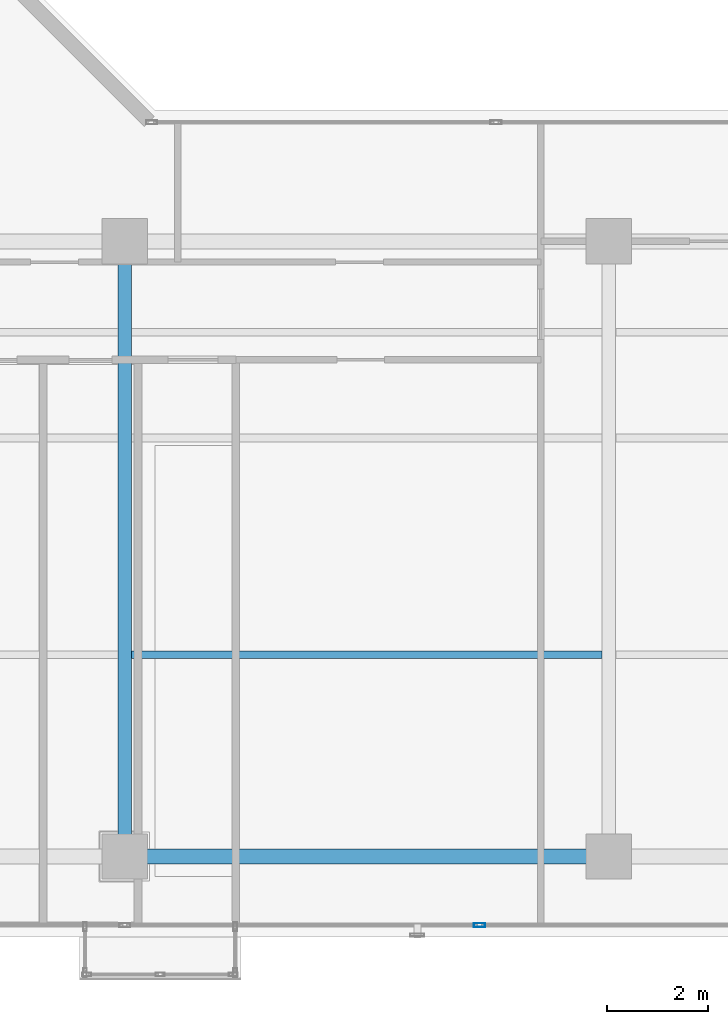
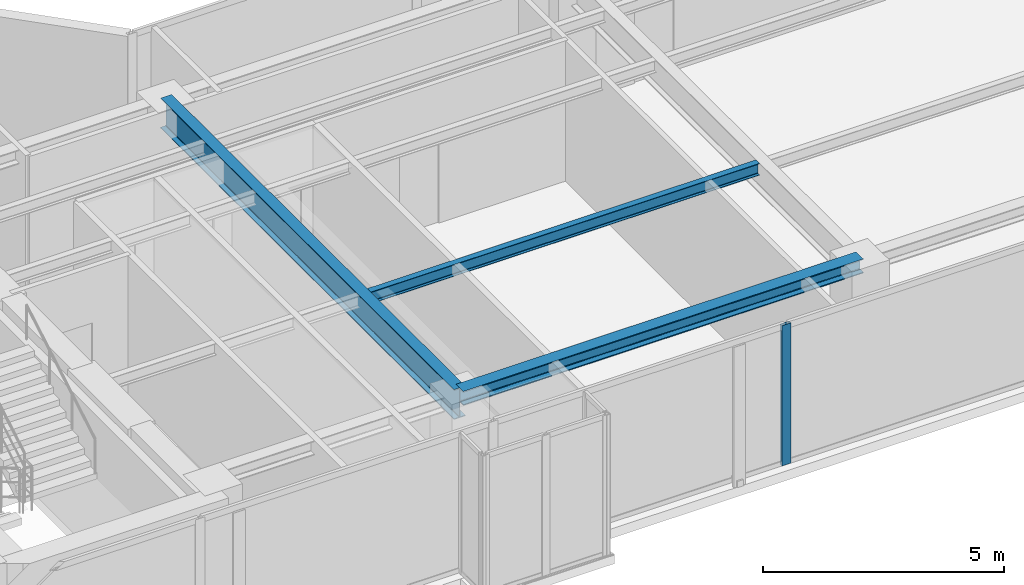
# One storey, part 5 of 22: 3 beams, 1 member, 1 element without a shape of its own.
"""IFC4 building model written with IfcOpenShell, lengths in metres."""

import ifcopenshell
import ifcopenshell.guid

model = None  # the IFC model being written
_history = None  # IfcOwnerHistory: only IFC2X3 demands one
_inside = {}  # id of a spatial element -> (the spatial element, [elements in it])
_under = {}  # id of a project, library or spatial element -> (it, [spatial elements below it])
_declared = {}  # id of a project -> (the project, [libraries it declares])
_typed = {}  # id of a type object -> (the type object, [elements of that type])
_made_of = {}  # id of a material, layer set ... -> (it, [elements and type objects made of it])


def new_model(schema):
    """Start an empty IFC model of exactly this schema.

    Asked for "IFC4X3", IfcOpenShell would pick the latest addendum, in which some entities
    have other attributes; the version numbers below select the first issue.
    IFC2X3 requires an IfcOwnerHistory on every rooted entity: one is made here for all.
    """
    global model, _history
    if schema == "IFC4X3":
        model = ifcopenshell.file(schema_version=(4, 3, 0, 0))
    else:
        model = ifcopenshell.file(schema=schema)
    _inside.clear()
    _under.clear()
    _declared.clear()
    _typed.clear()
    _made_of.clear()
    _history = None
    if model.schema == "IFC2X3":
        org = make("IfcOrganization", Name="unknown")
        user = make(
            "IfcPersonAndOrganization",
            ThePerson=make("IfcPerson", FamilyName="unknown"),
            TheOrganization=org,
        )
        app = make(
            "IfcApplication",
            ApplicationDeveloper=org,
            Version="unknown",
            ApplicationFullName="unknown",
            ApplicationIdentifier="unknown",
        )
        _history = make(
            "IfcOwnerHistory",
            OwningUser=user,
            OwningApplication=app,
            ChangeAction="ADDED",
            CreationDate=0,
        )
    return model


def make(cls, **values):
    """One entity of the class cls with the attributes given. An attribute that is None is left unset."""
    return model.create_entity(
        cls, **{name: value for name, value in values.items() if value is not None}
    )


def rooted(cls, **values):
    """An entity with a GlobalId (a new one), such as an element, a storey or a relation."""
    return make(cls, GlobalId=ifcopenshell.guid.new(), OwnerHistory=_history, **values)


def si_unit(unit_type, name, prefix=None):
    """IfcSIUnit, for example si_unit("LENGTHUNIT", "METRE", prefix="MILLI")."""
    return make("IfcSIUnit", UnitType=unit_type, Prefix=prefix, Name=name)


def assignment(units):
    """IfcUnitAssignment: the units of a project."""
    return None if units is None else make("IfcUnitAssignment", Units=units)


def point(xyz):
    """IfcCartesianPoint."""
    return None if xyz is None else make("IfcCartesianPoint", Coordinates=xyz)


def direction(xyz):
    """IfcDirection."""
    return None if xyz is None else make("IfcDirection", DirectionRatios=xyz)


def frame(location, z_axis=None, x_axis=None):
    """IfcAxis2Placement3D, a coordinate frame: its origin and axes. An axis left out is left unset."""
    return make(
        "IfcAxis2Placement3D",
        Location=point(location),
        Axis=direction(z_axis),
        RefDirection=direction(x_axis),
    )


def frame_2d(location, x_axis=None):
    """IfcAxis2Placement2D, a coordinate frame in the plane: its origin and x axis."""
    return make(
        "IfcAxis2Placement2D", Location=point(location), RefDirection=direction(x_axis)
    )


def origin():
    """The frame at (0, 0, 0) with its axes left unset."""
    return frame((0.0, 0.0, 0.0))


def origin_with_axes():
    """The frame at (0, 0, 0) with the z axis (0, 0, 1) and the x axis (1, 0, 0) written out."""
    return frame((0.0, 0.0, 0.0), z_axis=(0.0, 0.0, 1.0), x_axis=(1.0, 0.0, 0.0))


def origin_2d():
    """The frame at (0, 0) in the plane with its x axis left unset."""
    return frame_2d((0.0, 0.0))


def place(relative_to, where):
    """IfcLocalPlacement: puts the frame where relative to a parent placement (None: the world)."""
    return make(
        "IfcLocalPlacement", PlacementRelTo=relative_to, RelativePlacement=where
    )


def context(
    kind, dimensions, precision=None, world=None, true_north=None, identifier=None
):
    """IfcGeometricRepresentationContext, for example the 3D "Model" context."""
    return make(
        "IfcGeometricRepresentationContext",
        ContextIdentifier=identifier,
        ContextType=kind,
        CoordinateSpaceDimension=dimensions,
        Precision=precision,
        WorldCoordinateSystem=world,
        TrueNorth=true_north,
    )


def subcontext(parent, identifier, kind, view, scale=None):
    """IfcGeometricRepresentationSubContext, for example "Body" below "Model"."""
    return make(
        "IfcGeometricRepresentationSubContext",
        ContextIdentifier=identifier,
        ContextType=kind,
        ParentContext=parent,
        TargetScale=scale,
        TargetView=view,
    )


def project(units=None, contexts=None):
    """IfcProject with its units and contexts."""
    return rooted(
        "IfcProject",
        Name="project",
        RepresentationContexts=contexts,
        UnitsInContext=assignment(units),
    )


def spatial(cls, under=None, at=None, **own):
    """A site, building, storey or space (cls), placed at a placement, below another one or the project."""
    s = rooted(cls, ObjectPlacement=at, **own)
    if under is not None:
        _under.setdefault(under.id(), (under, []))[1].append(s)
    return s


def profile(cls, at=None, kind="AREA", **sizes):
    """A parametric profile (cls). Its sizes go by their IFC names, for example OverallWidth=200.0."""
    return make(cls, ProfileType=kind, Position=at, **sizes)


def hollow_rectangle(**sizes):
    """IfcRectangleHollowProfileDef."""
    return profile("IfcRectangleHollowProfileDef", **sizes)


def i_section(**sizes):
    """IfcIShapeProfileDef."""
    return profile("IfcIShapeProfileDef", **sizes)


def extrude(swept, where, along, depth):
    """IfcExtrudedAreaSolid: the profile swept, set in the frame where, extruded along a direction by depth."""
    return make(
        "IfcExtrudedAreaSolid",
        SweptArea=swept,
        Position=where,
        ExtrudedDirection=direction(along),
        Depth=depth,
    )


def shape(context_of_items, identifier, shape_type, items):
    """IfcShapeRepresentation: the items that make up one representation, for example the "Body"."""
    return make(
        "IfcShapeRepresentation",
        ContextOfItems=context_of_items,
        RepresentationIdentifier=identifier,
        RepresentationType=shape_type,
        Items=items,
    )


def source(mapping_origin, context_of_items, identifier, shape_type, items):
    """IfcRepresentationMap: a shape defined once, which mapped items show again and again."""
    return make(
        "IfcRepresentationMap",
        MappingOrigin=mapping_origin,
        MappedRepresentation=shape(context_of_items, identifier, shape_type, items),
    )


def transform(
    local_origin,
    x_axis=None,
    y_axis=None,
    z_axis=None,
    scale=None,
    scale2=None,
    scale3=None,
    uniform=True,
):
    """IfcCartesianTransformationOperator3D, or its non-uniform kind. x_axis, y_axis, z_axis: its Axis1, 2, 3."""
    if uniform:
        return make(
            "IfcCartesianTransformationOperator3D",
            Axis1=direction(x_axis),
            Axis2=direction(y_axis),
            LocalOrigin=point(local_origin),
            Scale=scale,
            Axis3=direction(z_axis),
        )
    return make(
        "IfcCartesianTransformationOperator3DnonUniform",
        Axis1=direction(x_axis),
        Axis2=direction(y_axis),
        LocalOrigin=point(local_origin),
        Scale=scale,
        Axis3=direction(z_axis),
        Scale2=scale2,
        Scale3=scale3,
    )


def mapped(mapping_source, mapping_target):
    """IfcMappedItem: shows the shape of a source again, moved by a transform."""
    return make(
        "IfcMappedItem", MappingSource=mapping_source, MappingTarget=mapping_target
    )


def material(Name=None, Category=None):
    """IfcMaterial."""
    return make("IfcMaterial", Name=Name, Category=Category)


def layer(
    of_material, thickness, ventilated=None, Name=None, Category=None, Priority=None
):
    """IfcMaterialLayer: one layer of a wall or slab, of a material (None: an air gap)."""
    return make(
        "IfcMaterialLayer",
        Material=of_material,
        LayerThickness=thickness,
        IsVentilated=ventilated,
        Name=Name,
        Category=Category,
        Priority=Priority,
    )


def layer_set(layers, Name=None):
    """IfcMaterialLayerSet."""
    return make("IfcMaterialLayerSet", MaterialLayers=layers, LayerSetName=Name)


def material_profile(
    of_material, cross_section, Name=None, Category=None, Priority=None
):
    """IfcMaterialProfile: a cross section and its material."""
    return make(
        "IfcMaterialProfile",
        Name=Name,
        Material=of_material,
        Profile=cross_section,
        Priority=Priority,
        Category=Category,
    )


def profile_set(profiles, Name=None, composite=None):
    """IfcMaterialProfileSet."""
    return make(
        "IfcMaterialProfileSet",
        Name=Name,
        MaterialProfiles=profiles,
        CompositeProfile=composite,
    )


def made_of(thing, what):
    """Note that an element or type object is made of a material, layer set ...; save() writes the relation."""
    if what is not None:
        _made_of.setdefault(what.id(), (what, []))[1].append(thing)
    return thing


def type_object(cls, material=None, **own):
    """A type object (cls), such as IfcWallType, which elements share."""
    return made_of(rooted(cls, **own), material)


def element(
    cls,
    number,
    at=None,
    inside=None,
    cuts=None,
    type_object=None,
    material=None,
    context=None,
    identifier="Body",
    shape_type=None,
    held_by="IfcProductDefinitionShape",
    body=None,
    shapes=None,
    **own,
):
    """One element of the class cls, such as IfcWall. Its Tag is "e" and its number.

    at: its placement. inside: the storey or other place that contains it. cuts: it is an
    opening in that element (IfcRelVoidsElement). A single representation is given by context,
    identifier, shape_type and body (its items); several are given by shapes. held_by: the class
    of the entity that holds the representations. save() writes the other relations.
    """
    e = rooted(cls, Tag="e%d" % number, ObjectPlacement=at, **own)
    if body is not None:
        shapes = [shape(context, identifier, shape_type, body)]
    if shapes is not None:
        e.Representation = make(held_by, Representations=shapes)
    if inside is not None:
        _inside.setdefault(inside.id(), (inside, []))[1].append(e)
    if cuts is not None:
        rooted(
            "IfcRelVoidsElement", RelatingBuildingElement=cuts, RelatedOpeningElement=e
        )
    if type_object is not None:
        _typed.setdefault(type_object.id(), (type_object, []))[1].append(e)
    return made_of(e, material)


def aggregate(whole, parts):
    """IfcRelAggregates: a whole, such as a stair, and the parts it consists of."""
    return rooted("IfcRelAggregates", RelatingObject=whole, RelatedObjects=parts)


def save(model, path):
    """Write the relations noted so far, then the file.

    IfcRelAggregates (storeys below a building ...), IfcRelContainedInSpatialStructure (elements
    in a storey), IfcRelDefinesByType, IfcRelAssociatesMaterial and IfcRelDeclares: one each for
    every whole, place, type object, material and project.
    """
    for whole, parts in _under.values():
        aggregate(whole, parts)
    for where, things in _inside.values():
        rooted(
            "IfcRelContainedInSpatialStructure",
            RelatedElements=things,
            RelatingStructure=where,
        )
    for kind, things in _typed.values():
        rooted("IfcRelDefinesByType", RelatedObjects=things, RelatingType=kind)
    for what, things in _made_of.values():
        rooted("IfcRelAssociatesMaterial", RelatedObjects=things, RelatingMaterial=what)
    for by, libraries in _declared.values():
        rooted("IfcRelDeclares", RelatingContext=by, RelatedDefinitions=libraries)
    model.write(path)


model = new_model("IFC4")

# Units and contexts
model_context = context("Model", 3, precision=1e-05, world=origin(), true_north=direction((0.0, 1.0)))
body_context = subcontext(model_context, "Body", "Model", "MODEL_VIEW")
ifc_project = project(units=[si_unit("LENGTHUNIT", "METRE"), si_unit("AREAUNIT", "SQUARE_METRE"), si_unit("VOLUMEUNIT", "CUBIC_METRE"), si_unit("PLANEANGLEUNIT", "RADIAN"), si_unit("MASSUNIT", "GRAM", prefix="KILO")], contexts=[model_context])

# Site, building, storey
site_placement = place(None, origin())
site = spatial("IfcSite", under=ifc_project, at=site_placement, CompositionType="ELEMENT")
building_placement = place(site_placement, origin())
building = spatial("IfcBuilding", under=site, at=building_placement, Name="Kolvaren Waterfront Exchange", CompositionType="ELEMENT")
storey_placement = place(building_placement, frame((0.0, 0.0, 262.800048828125)))
storey = spatial("IfcBuildingStorey", under=building, at=storey_placement, Name="L67", CompositionType="ELEMENT", Elevation=262.800048828125)

# Beams
ifc_material_1 = material(Name="Steel S355", Category="steel")
ifc_material_profile_1 = material_profile(ifc_material_1, i_section(OverallWidth=0.300048828125, OverallDepth=0.360107421875, WebThickness=0.012451171875, FlangeThickness=0.0224609375, FilletRadius=0.027099609375, at=origin_2d()), Name="HEB360")
ifc_profile_set_1 = profile_set([ifc_material_profile_1], Name="Steel S355")
beam_type_1 = type_object("IfcBeamType", Name="STR-BM-HEB360", PredefinedType="SPANDREL", material=ifc_profile_set_1)
beam_1_placement = place(storey_placement, frame((27.199951171875, 5.199951171875, 3.3798828125), z_axis=(1.0, 0.0, 0.0), x_axis=(0.0, 1.0, 0.0)))
element("IfcBeam", 1, at=beam_1_placement, inside=storey, type_object=beam_type_1, Name="L67 east-arm spandrel S2", PredefinedType="SPANDREL", context=body_context, shape_type="SweptSolid", body=[
    extrude(i_section(OverallWidth=0.300048828125, OverallDepth=0.360107421875, WebThickness=0.012451171875, FlangeThickness=0.0224609375, FilletRadius=0.027099609375, at=origin_2d()), origin(), (0.0, 0.0, 1.0), 9.60009765625),
])
ifc_material_profile_2 = material_profile(ifc_material_1, i_section(OverallWidth=0.14990234375, OverallDepth=0.300048828125, WebThickness=0.007080078125, FlangeThickness=0.0107421875, FilletRadius=0.014892578125, at=origin_2d()), Name="IPE300")
ifc_profile_set_2 = profile_set([ifc_material_profile_2], Name="Steel S355")
beam_type_2 = type_object("IfcBeamType", Name="STR-BM-IPE300", PredefinedType="JOIST", material=ifc_profile_set_2)
beam_2_placement = place(storey_placement, frame((27.33544921875, 9.199951171875, 3.409912109375), z_axis=(1.0, 0.0, 0.0), x_axis=(0.0, 1.0, 0.0)))
element("IfcBeam", 2, at=beam_2_placement, inside=storey, type_object=beam_type_2, Name="L67 east-arm composite joist 2B", PredefinedType="JOIST", context=body_context, shape_type="SweptSolid", body=[
    extrude(i_section(OverallWidth=0.14990234375, OverallDepth=0.300048828125, WebThickness=0.007080078125, FlangeThickness=0.0107421875, FilletRadius=0.014892578125, at=origin_2d()), origin(), (0.0, 0.0, 1.0), 9.3291015625),
])
ifc_material_profile_3 = material_profile(ifc_material_1, i_section(OverallWidth=0.26708984375, OverallDepth=0.761962890625, WebThickness=0.014404296875, FlangeThickness=0.021484375, FilletRadius=0.01708984375, at=origin_2d()), Name="IPE750x173")
ifc_profile_set_3 = profile_set([ifc_material_profile_3], Name="Steel S355")
beam_type_3 = type_object("IfcBeamType", Name="STR-BM-IPE750", PredefinedType="BEAM", material=ifc_profile_set_3)
beam_3_placement = place(storey_placement, frame((27.199951171875, 5.199951171875, 3.178955078125), z_axis=(0.0, 1.0, 0.0), x_axis=(-1.0, 0.0, 0.0)))
element("IfcBeam", 3, at=beam_3_placement, inside=storey, type_object=beam_type_3, Name="L67 east-arm transverse girder X27", PredefinedType="BEAM", context=body_context, shape_type="SweptSolid", body=[
    extrude(i_section(OverallWidth=0.26708984375, OverallDepth=0.761962890625, WebThickness=0.014404296875, FlangeThickness=0.021484375, FilletRadius=0.01708984375, at=origin_2d()), origin(), (0.0, 0.0, 1.0), 12.199951171875),
])

# Curtain wall, member
ifc_material_2 = material(Name="Anodised bronze aluminium 6063-T6", Category="aluminium")
ifc_layer = layer(ifc_material_2, 0.219970703125, Name="Anodised bronze aluminium 6063-T6")
ifc_layer_set = layer_set([ifc_layer], Name="Anodised bronze aluminium 6063-T6")
curtain_wall_type = type_object("IfcCurtainWallType", Name="ARC-CW-SYS1", PredefinedType="USERDEFINED", material=ifc_layer_set)
curtain_wall_placement = place(storey_placement, origin())
curtain_wall = element("IfcCurtainWall", 4, at=curtain_wall_placement, inside=storey, type_object=curtain_wall_type, Name="L67 stick curtain wall CW1 (CW-L67-S)", ObjectType="STICK CURTAIN WALL", PredefinedType="USERDEFINED")
ifc_material_3 = material(Name="Anodised aluminium 6063-T6", Category="aluminium")
ifc_material_profile_4 = material_profile(ifc_material_3, hollow_rectangle(XDim=0.080078125, YDim=0.219970703125, WallThickness=0.0048828125, at=origin_2d()), Name="ALU-MUL-220x80x5")
ifc_profile_set_4 = profile_set([ifc_material_profile_4], Name="Anodised aluminium 6063-T6")
member_type = type_object("IfcMemberType", Name="ARC-CWM-220", PredefinedType="MULLION", material=ifc_profile_set_4)
shared_shape = source(origin_with_axes(), body_context, "Body", "SweptSolid", [
    extrude(hollow_rectangle(XDim=0.080078125, YDim=0.219970703125, WallThickness=0.0048828125, at=origin_2d()), origin(), (0.0, 0.0, 1.0), 3.56005859375),
])
member_placement = place(storey_placement, frame((34.2333984375, 3.840087890625, 0.0), z_axis=(0.0, 0.0, 1.0), x_axis=(0.0, 1.0, 0.0)))
member = element("IfcMember", 5, at=member_placement, type_object=member_type, Name="CW1 mullion 5", PredefinedType="MULLION", context=body_context, shape_type="MappedRepresentation", body=[
    mapped(shared_shape, transform((0.0, 0.0, 0.0), x_axis=(1.0, 0.0, 0.0), y_axis=(0.0, 1.0, 0.0), z_axis=(0.0, 0.0, 1.0), scale=1.0)),
])
aggregate(curtain_wall, [member])

save(model, "model.ifc")
